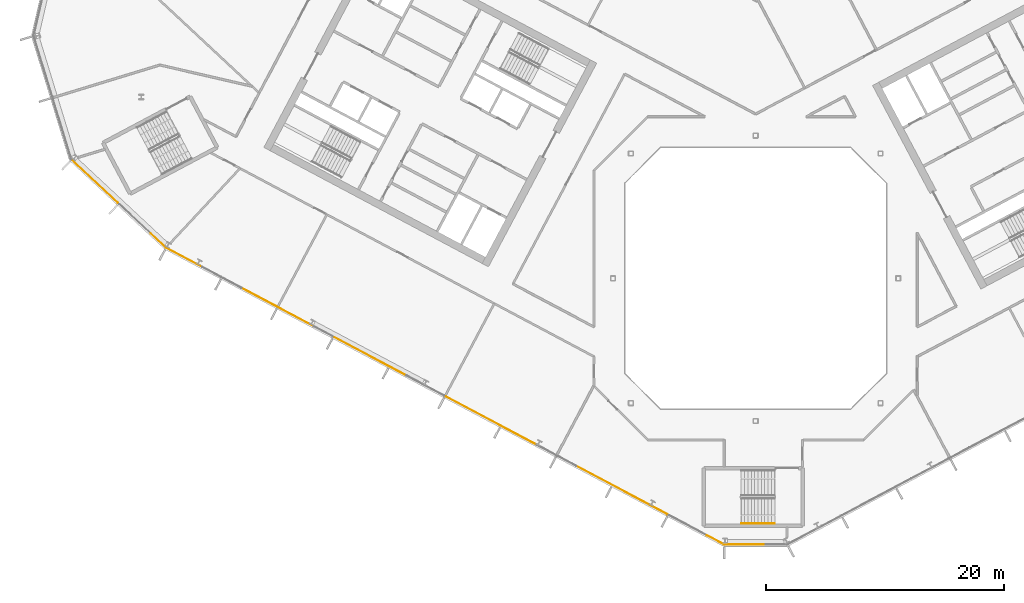
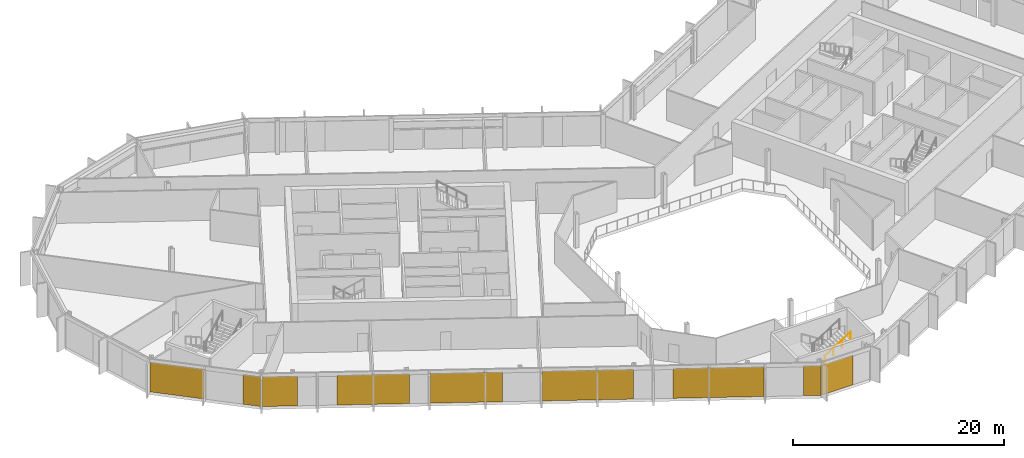
# One storey, part 19 of 27: 9 coverings, 1 railing, 3 elements without a shape of their own.
"""IFC4 building model written with IfcOpenShell, lengths in metres."""

import ifcopenshell
import ifcopenshell.guid

model = None  # the IFC model being written
_history = None  # IfcOwnerHistory: only IFC2X3 demands one
_inside = {}  # id of a spatial element -> (the spatial element, [elements in it])
_under = {}  # id of a project, library or spatial element -> (it, [spatial elements below it])
_declared = {}  # id of a project -> (the project, [libraries it declares])
_typed = {}  # id of a type object -> (the type object, [elements of that type])
_made_of = {}  # id of a material, layer set ... -> (it, [elements and type objects made of it])


def new_model(schema):
    """Start an empty IFC model of exactly this schema.

    Asked for "IFC4X3", IfcOpenShell would pick the latest addendum, in which some entities
    have other attributes; the version numbers below select the first issue.
    IFC2X3 requires an IfcOwnerHistory on every rooted entity: one is made here for all.
    """
    global model, _history
    if schema == "IFC4X3":
        model = ifcopenshell.file(schema_version=(4, 3, 0, 0))
    else:
        model = ifcopenshell.file(schema=schema)
    _inside.clear()
    _under.clear()
    _declared.clear()
    _typed.clear()
    _made_of.clear()
    _history = None
    if model.schema == "IFC2X3":
        org = make("IfcOrganization", Name="unknown")
        user = make(
            "IfcPersonAndOrganization",
            ThePerson=make("IfcPerson", FamilyName="unknown"),
            TheOrganization=org,
        )
        app = make(
            "IfcApplication",
            ApplicationDeveloper=org,
            Version="unknown",
            ApplicationFullName="unknown",
            ApplicationIdentifier="unknown",
        )
        _history = make(
            "IfcOwnerHistory",
            OwningUser=user,
            OwningApplication=app,
            ChangeAction="ADDED",
            CreationDate=0,
        )
    return model


def make(cls, **values):
    """One entity of the class cls with the attributes given. An attribute that is None is left unset."""
    return model.create_entity(
        cls, **{name: value for name, value in values.items() if value is not None}
    )


def rooted(cls, **values):
    """An entity with a GlobalId (a new one), such as an element, a storey or a relation."""
    return make(cls, GlobalId=ifcopenshell.guid.new(), OwnerHistory=_history, **values)


def si_unit(unit_type, name, prefix=None):
    """IfcSIUnit, for example si_unit("LENGTHUNIT", "METRE", prefix="MILLI")."""
    return make("IfcSIUnit", UnitType=unit_type, Prefix=prefix, Name=name)


def assignment(units):
    """IfcUnitAssignment: the units of a project."""
    return None if units is None else make("IfcUnitAssignment", Units=units)


def point(xyz):
    """IfcCartesianPoint."""
    return None if xyz is None else make("IfcCartesianPoint", Coordinates=xyz)


def direction(xyz):
    """IfcDirection."""
    return None if xyz is None else make("IfcDirection", DirectionRatios=xyz)


def frame(location, z_axis=None, x_axis=None):
    """IfcAxis2Placement3D, a coordinate frame: its origin and axes. An axis left out is left unset."""
    return make(
        "IfcAxis2Placement3D",
        Location=point(location),
        Axis=direction(z_axis),
        RefDirection=direction(x_axis),
    )


def frame_2d(location, x_axis=None):
    """IfcAxis2Placement2D, a coordinate frame in the plane: its origin and x axis."""
    return make(
        "IfcAxis2Placement2D", Location=point(location), RefDirection=direction(x_axis)
    )


def origin():
    """The frame at (0, 0, 0) with its axes left unset."""
    return frame((0.0, 0.0, 0.0))


def origin_2d():
    """The frame at (0, 0) in the plane with its x axis left unset."""
    return frame_2d((0.0, 0.0))


def place(relative_to, where):
    """IfcLocalPlacement: puts the frame where relative to a parent placement (None: the world)."""
    return make(
        "IfcLocalPlacement", PlacementRelTo=relative_to, RelativePlacement=where
    )


def context(
    kind, dimensions, precision=None, world=None, true_north=None, identifier=None
):
    """IfcGeometricRepresentationContext, for example the 3D "Model" context."""
    return make(
        "IfcGeometricRepresentationContext",
        ContextIdentifier=identifier,
        ContextType=kind,
        CoordinateSpaceDimension=dimensions,
        Precision=precision,
        WorldCoordinateSystem=world,
        TrueNorth=true_north,
    )


def subcontext(parent, identifier, kind, view, scale=None):
    """IfcGeometricRepresentationSubContext, for example "Body" below "Model"."""
    return make(
        "IfcGeometricRepresentationSubContext",
        ContextIdentifier=identifier,
        ContextType=kind,
        ParentContext=parent,
        TargetScale=scale,
        TargetView=view,
    )


def project(units=None, contexts=None):
    """IfcProject with its units and contexts."""
    return rooted(
        "IfcProject",
        Name="project",
        RepresentationContexts=contexts,
        UnitsInContext=assignment(units),
    )


def spatial(cls, under=None, at=None, **own):
    """A site, building, storey or space (cls), placed at a placement, below another one or the project."""
    s = rooted(cls, ObjectPlacement=at, **own)
    if under is not None:
        _under.setdefault(under.id(), (under, []))[1].append(s)
    return s


def polyline(points):
    """IfcPolyline through the points."""
    return make("IfcPolyline", Points=[point(p) for p in points])


def profile(cls, at=None, kind="AREA", **sizes):
    """A parametric profile (cls). Its sizes go by their IFC names, for example OverallWidth=200.0."""
    return make(cls, ProfileType=kind, Position=at, **sizes)


def rectangle(**sizes):
    """IfcRectangleProfileDef."""
    return profile("IfcRectangleProfileDef", **sizes)


def outline(outer, holes=None, kind="AREA"):
    """IfcArbitraryClosedProfileDef: a profile drawn as a closed curve; with holes, ...WithVoids."""
    if holes is None:
        return make("IfcArbitraryClosedProfileDef", ProfileType=kind, OuterCurve=outer)
    return make(
        "IfcArbitraryProfileDefWithVoids",
        ProfileType=kind,
        OuterCurve=outer,
        InnerCurves=holes,
    )


def extrude(swept, where, along, depth):
    """IfcExtrudedAreaSolid: the profile swept, set in the frame where, extruded along a direction by depth."""
    return make(
        "IfcExtrudedAreaSolid",
        SweptArea=swept,
        Position=where,
        ExtrudedDirection=direction(along),
        Depth=depth,
    )


def shape(context_of_items, identifier, shape_type, items):
    """IfcShapeRepresentation: the items that make up one representation, for example the "Body"."""
    return make(
        "IfcShapeRepresentation",
        ContextOfItems=context_of_items,
        RepresentationIdentifier=identifier,
        RepresentationType=shape_type,
        Items=items,
    )


def material(Name=None, Category=None):
    """IfcMaterial."""
    return make("IfcMaterial", Name=Name, Category=Category)


def layer(
    of_material, thickness, ventilated=None, Name=None, Category=None, Priority=None
):
    """IfcMaterialLayer: one layer of a wall or slab, of a material (None: an air gap)."""
    return make(
        "IfcMaterialLayer",
        Material=of_material,
        LayerThickness=thickness,
        IsVentilated=ventilated,
        Name=Name,
        Category=Category,
        Priority=Priority,
    )


def layer_set(layers, Name=None):
    """IfcMaterialLayerSet."""
    return make("IfcMaterialLayerSet", MaterialLayers=layers, LayerSetName=Name)


def made_of(thing, what):
    """Note that an element or type object is made of a material, layer set ...; save() writes the relation."""
    if what is not None:
        _made_of.setdefault(what.id(), (what, []))[1].append(thing)
    return thing


def type_object(cls, material=None, **own):
    """A type object (cls), such as IfcWallType, which elements share."""
    return made_of(rooted(cls, **own), material)


def element(
    cls,
    number,
    at=None,
    inside=None,
    cuts=None,
    type_object=None,
    material=None,
    context=None,
    identifier="Body",
    shape_type=None,
    held_by="IfcProductDefinitionShape",
    body=None,
    shapes=None,
    **own,
):
    """One element of the class cls, such as IfcWall. Its Tag is "e" and its number.

    at: its placement. inside: the storey or other place that contains it. cuts: it is an
    opening in that element (IfcRelVoidsElement). A single representation is given by context,
    identifier, shape_type and body (its items); several are given by shapes. held_by: the class
    of the entity that holds the representations. save() writes the other relations.
    """
    e = rooted(cls, Tag="e%d" % number, ObjectPlacement=at, **own)
    if body is not None:
        shapes = [shape(context, identifier, shape_type, body)]
    if shapes is not None:
        e.Representation = make(held_by, Representations=shapes)
    if inside is not None:
        _inside.setdefault(inside.id(), (inside, []))[1].append(e)
    if cuts is not None:
        rooted(
            "IfcRelVoidsElement", RelatingBuildingElement=cuts, RelatedOpeningElement=e
        )
    if type_object is not None:
        _typed.setdefault(type_object.id(), (type_object, []))[1].append(e)
    return made_of(e, material)


def aggregate(whole, parts):
    """IfcRelAggregates: a whole, such as a stair, and the parts it consists of."""
    return rooted("IfcRelAggregates", RelatingObject=whole, RelatedObjects=parts)


def save(model, path):
    """Write the relations noted so far, then the file.

    IfcRelAggregates (storeys below a building ...), IfcRelContainedInSpatialStructure (elements
    in a storey), IfcRelDefinesByType, IfcRelAssociatesMaterial and IfcRelDeclares: one each for
    every whole, place, type object, material and project.
    """
    for whole, parts in _under.values():
        aggregate(whole, parts)
    for where, things in _inside.values():
        rooted(
            "IfcRelContainedInSpatialStructure",
            RelatedElements=things,
            RelatingStructure=where,
        )
    for kind, things in _typed.values():
        rooted("IfcRelDefinesByType", RelatedObjects=things, RelatingType=kind)
    for what, things in _made_of.values():
        rooted("IfcRelAssociatesMaterial", RelatedObjects=things, RelatingMaterial=what)
    for by, libraries in _declared.values():
        rooted("IfcRelDeclares", RelatingContext=by, RelatedDefinitions=libraries)
    model.write(path)


model = new_model("IFC4")

# Units and contexts
model_context = context("Model", 3, precision=1e-05, world=origin(), true_north=direction((0.0, 1.0)))
body_context = subcontext(model_context, "Body", "Model", "MODEL_VIEW")
ifc_project = project(units=[si_unit("LENGTHUNIT", "METRE"), si_unit("AREAUNIT", "SQUARE_METRE"), si_unit("VOLUMEUNIT", "CUBIC_METRE"), si_unit("PLANEANGLEUNIT", "RADIAN"), si_unit("MASSUNIT", "GRAM", prefix="KILO")], contexts=[model_context])

# Site, building, storey
site_placement = place(None, origin())
site = spatial("IfcSite", under=ifc_project, at=site_placement, CompositionType="ELEMENT")
building_placement = place(site_placement, origin())
building = spatial("IfcBuilding", under=site, at=building_placement, Name="Cormorant Relay Tower", CompositionType="ELEMENT")
storey_placement = place(building_placement, frame((0.0, 0.0, 224.699951171875)))
storey = spatial("IfcBuildingStorey", under=building, at=storey_placement, Name="L49", CompositionType="ELEMENT", Elevation=224.699951171875)

# Curtain wall, covering
ifc_material_1 = material(Name="Aluminium 6063-T6 anodised bronze", Category="aluminium")
ifc_layer_1 = layer(ifc_material_1, 0.199951171875)
ifc_layer_set_1 = layer_set([ifc_layer_1], Name="CW1 unitised bronze curtain wall with vertical fins")
curtain_wall_type = type_object("IfcCurtainWallType", Name="CW1 unitised bronze curtain wall with vertical fins", PredefinedType="NOTDEFINED", material=ifc_layer_set_1)
curtain_wall_1_placement = place(storey_placement, origin())
curtain_wall_1 = element("IfcCurtainWall", 1, at=curtain_wall_1_placement, inside=storey, type_object=curtain_wall_type, Name="CW1 curtain wall 1", PredefinedType="NOTDEFINED")
ifc_material_2 = material(Name="Pale bronze anodised aluminium insulated panel", Category="aluminium")
ifc_layer_2 = layer(ifc_material_2, 0.0400390625)
ifc_layer_set_2 = layer_set([ifc_layer_2], Name="CW1 pale bronze insulated panel 40")
covering_type = type_object("IfcCoveringType", Name="CW1 pale bronze insulated panel 40", PredefinedType="CLADDING", material=ifc_layer_set_2)
covering_1_placement = place(storey_placement, frame((-0.862548828125, -22.3955078125, 0.0), z_axis=(0.0, 0.0, 1.0), x_axis=(1.0, 0.0, 0.0)))
covering_1 = element("IfcCovering", 2, at=covering_1_placement, type_object=covering_type, Name="CW1 panel S00", PredefinedType="CLADDING", context=body_context, shape_type="SweptSolid", body=[
    extrude(rectangle(XDim=3.422607421875, YDim=0.0400390625, at=origin_2d()), origin(), (0.0, 0.0, 1.0), 3.449951171875),
])
aggregate(curtain_wall_1, [covering_1])

# Curtain wall, coverings
curtain_wall_2_placement = place(storey_placement, origin())
curtain_wall_2 = element("IfcCurtainWall", 3, at=curtain_wall_2_placement, inside=storey, type_object=curtain_wall_type, Name="CW1 curtain wall 15", PredefinedType="NOTDEFINED")
covering_2_placement = place(storey_placement, frame((-55.56787109375, 8.1298828125, 0.0), z_axis=(0.0, 0.0, 1.0), x_axis=(0.731353701619, -0.681998360062, 0.0)))
covering_2 = element("IfcCovering", 4, at=covering_2_placement, type_object=covering_type, Name="CW1 panel S00", PredefinedType="CLADDING", context=body_context, shape_type="SweptSolid", body=[
    extrude(rectangle(XDim=5.28515625, YDim=0.0400390625, at=origin_2d()), origin(), (0.0, 0.0, 1.0), 3.449951171875),
])
covering_3_placement = place(storey_placement, frame((-50.248779296875, 3.169921875, 0.0), z_axis=(0.0, 0.0, 1.0), x_axis=(0.731353701619, -0.681998360062, 0.0)))
covering_3 = element("IfcCovering", 5, at=covering_3_placement, type_object=covering_type, Name="CW1 panel S02", PredefinedType="CLADDING", context=body_context, shape_type="SweptSolid", body=[
    extrude(rectangle(XDim=1.76025390625, YDim=0.0400390625, at=origin_2d()), origin(), (0.0, 0.0, 1.0), 3.449951171875),
])
aggregate(curtain_wall_2, [covering_2, covering_3])

curtain_wall_3_placement = place(storey_placement, origin())
curtain_wall_3 = element("IfcCurtainWall", 6, at=curtain_wall_3_placement, inside=storey, type_object=curtain_wall_type, Name="CW1 curtain wall 16", PredefinedType="NOTDEFINED")
covering_4_placement = place(storey_placement, frame((-48.048583984375, 1.7412109375, 0.0), z_axis=(0.0, 0.0, 1.0), x_axis=(0.882947592859, -0.469471562786, 0.0)))
covering_4 = element("IfcCovering", 7, at=covering_4_placement, type_object=covering_type, Name="CW1 panel S00", PredefinedType="CLADDING", context=body_context, shape_type="SweptSolid", body=[
    extrude(rectangle(XDim=3.36669921875, YDim=0.0400390625, at=origin_2d()), origin(), (0.0, 0.0, 1.0), 3.449951171875),
])
covering_5_placement = place(storey_placement, frame((-40.21240234375, -2.42529296875, 0.0), z_axis=(0.0, 0.0, 1.0), x_axis=(0.882947592859, -0.469471562786, 0.0)))
covering_5 = element("IfcCovering", 8, at=covering_5_placement, type_object=covering_type, Name="CW1 panel S03", PredefinedType="CLADDING", context=body_context, shape_type="SweptSolid", body=[
    extrude(rectangle(XDim=6.88330078125, YDim=0.0400390625, at=origin_2d()), origin(), (0.0, 0.0, 1.0), 3.449951171875),
])
covering_6_placement = place(storey_placement, frame((-32.4130859375, -6.572265625, 0.0), z_axis=(0.0, 0.0, 1.0), x_axis=(0.882947592859, -0.469471562786, 0.0)))
covering_6 = element("IfcCovering", 9, at=covering_6_placement, type_object=covering_type, Name="CW1 panel S05", PredefinedType="CLADDING", context=body_context, shape_type="SweptSolid", body=[
    extrude(rectangle(XDim=6.88330078125, YDim=0.0400390625, at=origin_2d()), origin(), (0.0, 0.0, 1.0), 3.449951171875),
])
covering_7_placement = place(storey_placement, frame((-22.22998046875, -11.98681640625, 0.0), z_axis=(0.0, 0.0, 1.0), x_axis=(0.882947592859, -0.469471562786, 0.0)))
covering_7 = element("IfcCovering", 10, at=covering_7_placement, type_object=covering_type, Name="CW1 panel S07", PredefinedType="CLADDING", context=body_context, shape_type="SweptSolid", body=[
    extrude(rectangle(XDim=8.68310546875, YDim=0.0400390625, at=origin_2d()), origin(), (0.0, 0.0, 1.0), 3.449951171875),
])
covering_8_placement = place(storey_placement, frame((-11.252197265625, -17.82373046875, 0.0), z_axis=(0.0, 0.0, 1.0), x_axis=(0.882947592859, -0.469471562786, 0.0)))
covering_8 = element("IfcCovering", 11, at=covering_8_placement, type_object=covering_type, Name="CW1 panel S10", PredefinedType="CLADDING", context=body_context, shape_type="SweptSolid", body=[
    extrude(rectangle(XDim=8.68310546875, YDim=0.0400390625, at=origin_2d()), origin(), (0.0, 0.0, 1.0), 3.449951171875),
])
covering_9_placement = place(storey_placement, frame((-3.383056640625, -22.0078125, 0.0), z_axis=(0.0, 0.0, 1.0), x_axis=(0.882947592859, -0.469471562786, 0.0)))
covering_9 = element("IfcCovering", 12, at=covering_9_placement, type_object=covering_type, Name="CW1 panel S12", PredefinedType="CLADDING", context=body_context, shape_type="SweptSolid", body=[
    extrude(rectangle(XDim=1.6416015625, YDim=0.0400390625, at=origin_2d()), origin(), (0.0, 0.0, 1.0), 3.449951171875),
])
aggregate(curtain_wall_3, [covering_4, covering_5, covering_6, covering_7, covering_8, covering_9])

# Railing
ifc_material_3 = material(Name="Steel ASTM A572 Grade 50 (Fy 345 MPa)", Category="steel")
railing_type = type_object("IfcRailingType", Name="Stair handrail 900", PredefinedType="HANDRAIL", material=ifc_material_3)
railing_placement = place(storey_placement, frame((-1.199951171875, -20.625, 2.12744140625)))
element("IfcRailing", 13, at=railing_placement, inside=storey, type_object=railing_type, Name="L49 RK1 stair handrail 2", PredefinedType="HANDRAIL", context=body_context, shape_type="SweptSolid", body=[
    extrude(outline(polyline([(0.022216796875, 0.00927734375), (0.00927734375, 0.022216796875), (-0.00927734375, 0.022216796875), (-0.022216796875, 0.00927734375), (-0.022216796875, -0.00927734375), (-0.00927734375, -0.022216796875), (0.00927734375, -0.022216796875), (0.022216796875, -0.00927734375), (0.022216796875, 0.00927734375)])), frame((0.0, 0.0, 0.8759765625), z_axis=(0.844908973607, 0.0, 0.534910110503), x_axis=(0.0, 1.0, 0.0)), (0.0, 0.0, 1.0), 3.31396484375),
    extrude(outline(polyline([(0.019287109375, 0.008056640625), (0.008056640625, 0.019287109375), (-0.008056640625, 0.019287109375), (-0.019287109375, 0.008056640625), (-0.019287109375, -0.008056640625), (-0.008056640625, -0.019287109375), (0.008056640625, -0.019287109375), (0.019287109375, -0.008056640625), (0.019287109375, 0.008056640625)])), origin(), (0.0, 0.0, 1.0), 0.851806640625),
    extrude(outline(polyline([(0.019287109375, 0.008056640625), (0.008056640625, 0.019287109375), (-0.008056640625, 0.019287109375), (-0.019287109375, 0.008056640625), (-0.019287109375, -0.008056640625), (-0.008056640625, -0.019287109375), (0.008056640625, -0.019287109375), (0.019287109375, -0.008056640625), (0.019287109375, 0.008056640625)])), frame((0.933349609375, 0.0, 0.5908203125)), (0.0, 0.0, 1.0), 0.851806640625),
    extrude(outline(polyline([(0.019287109375, 0.008056640625), (0.008056640625, 0.019287109375), (-0.008056640625, 0.019287109375), (-0.019287109375, 0.008056640625), (-0.019287109375, -0.008056640625), (-0.008056640625, -0.019287109375), (0.008056640625, -0.019287109375), (0.019287109375, -0.008056640625), (0.019287109375, 0.008056640625)])), frame((1.86669921875, 0.0, 1.181884765625)), (0.0, 0.0, 1.0), 0.851806640625),
    extrude(outline(polyline([(0.019287109375, 0.008056640625), (0.008056640625, 0.019287109375), (-0.008056640625, 0.019287109375), (-0.019287109375, 0.008056640625), (-0.019287109375, -0.008056640625), (-0.008056640625, -0.019287109375), (0.008056640625, -0.019287109375), (0.019287109375, -0.008056640625), (0.019287109375, 0.008056640625)])), frame((2.800048828125, 0.0, 1.772705078125)), (0.0, 0.0, 1.0), 0.851806640625),
])

save(model, "model.ifc")
